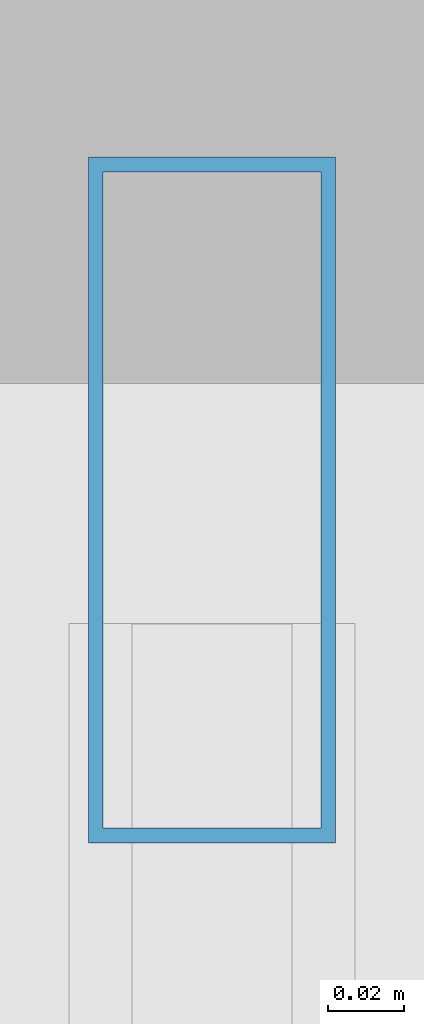
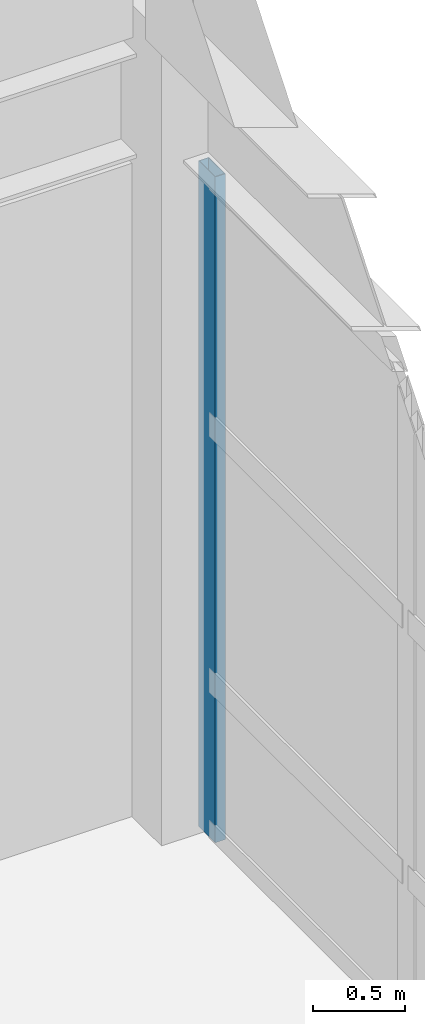
# One storey, part 22 of 41: 1 member, 1 element without a shape of its own.
"""IFC4 building model written with IfcOpenShell, lengths in metres."""

import ifcopenshell
import ifcopenshell.guid

model = None  # the IFC model being written
_history = None  # IfcOwnerHistory: only IFC2X3 demands one
_inside = {}  # id of a spatial element -> (the spatial element, [elements in it])
_under = {}  # id of a project, library or spatial element -> (it, [spatial elements below it])
_declared = {}  # id of a project -> (the project, [libraries it declares])
_typed = {}  # id of a type object -> (the type object, [elements of that type])
_made_of = {}  # id of a material, layer set ... -> (it, [elements and type objects made of it])


def new_model(schema):
    """Start an empty IFC model of exactly this schema.

    Asked for "IFC4X3", IfcOpenShell would pick the latest addendum, in which some entities
    have other attributes; the version numbers below select the first issue.
    IFC2X3 requires an IfcOwnerHistory on every rooted entity: one is made here for all.
    """
    global model, _history
    if schema == "IFC4X3":
        model = ifcopenshell.file(schema_version=(4, 3, 0, 0))
    else:
        model = ifcopenshell.file(schema=schema)
    _inside.clear()
    _under.clear()
    _declared.clear()
    _typed.clear()
    _made_of.clear()
    _history = None
    if model.schema == "IFC2X3":
        org = make("IfcOrganization", Name="unknown")
        user = make(
            "IfcPersonAndOrganization",
            ThePerson=make("IfcPerson", FamilyName="unknown"),
            TheOrganization=org,
        )
        app = make(
            "IfcApplication",
            ApplicationDeveloper=org,
            Version="unknown",
            ApplicationFullName="unknown",
            ApplicationIdentifier="unknown",
        )
        _history = make(
            "IfcOwnerHistory",
            OwningUser=user,
            OwningApplication=app,
            ChangeAction="ADDED",
            CreationDate=0,
        )
    return model


def make(cls, **values):
    """One entity of the class cls with the attributes given. An attribute that is None is left unset."""
    return model.create_entity(
        cls, **{name: value for name, value in values.items() if value is not None}
    )


def rooted(cls, **values):
    """An entity with a GlobalId (a new one), such as an element, a storey or a relation."""
    return make(cls, GlobalId=ifcopenshell.guid.new(), OwnerHistory=_history, **values)


def si_unit(unit_type, name, prefix=None):
    """IfcSIUnit, for example si_unit("LENGTHUNIT", "METRE", prefix="MILLI")."""
    return make("IfcSIUnit", UnitType=unit_type, Prefix=prefix, Name=name)


def assignment(units):
    """IfcUnitAssignment: the units of a project."""
    return None if units is None else make("IfcUnitAssignment", Units=units)


def point(xyz):
    """IfcCartesianPoint."""
    return None if xyz is None else make("IfcCartesianPoint", Coordinates=xyz)


def direction(xyz):
    """IfcDirection."""
    return None if xyz is None else make("IfcDirection", DirectionRatios=xyz)


def frame(location, z_axis=None, x_axis=None):
    """IfcAxis2Placement3D, a coordinate frame: its origin and axes. An axis left out is left unset."""
    return make(
        "IfcAxis2Placement3D",
        Location=point(location),
        Axis=direction(z_axis),
        RefDirection=direction(x_axis),
    )


def frame_2d(location, x_axis=None):
    """IfcAxis2Placement2D, a coordinate frame in the plane: its origin and x axis."""
    return make(
        "IfcAxis2Placement2D", Location=point(location), RefDirection=direction(x_axis)
    )


def origin():
    """The frame at (0, 0, 0) with its axes left unset."""
    return frame((0.0, 0.0, 0.0))


def origin_2d():
    """The frame at (0, 0) in the plane with its x axis left unset."""
    return frame_2d((0.0, 0.0))


def place(relative_to, where):
    """IfcLocalPlacement: puts the frame where relative to a parent placement (None: the world)."""
    return make(
        "IfcLocalPlacement", PlacementRelTo=relative_to, RelativePlacement=where
    )


def context(
    kind, dimensions, precision=None, world=None, true_north=None, identifier=None
):
    """IfcGeometricRepresentationContext, for example the 3D "Model" context."""
    return make(
        "IfcGeometricRepresentationContext",
        ContextIdentifier=identifier,
        ContextType=kind,
        CoordinateSpaceDimension=dimensions,
        Precision=precision,
        WorldCoordinateSystem=world,
        TrueNorth=true_north,
    )


def subcontext(parent, identifier, kind, view, scale=None):
    """IfcGeometricRepresentationSubContext, for example "Body" below "Model"."""
    return make(
        "IfcGeometricRepresentationSubContext",
        ContextIdentifier=identifier,
        ContextType=kind,
        ParentContext=parent,
        TargetScale=scale,
        TargetView=view,
    )


def project(units=None, contexts=None):
    """IfcProject with its units and contexts."""
    return rooted(
        "IfcProject",
        Name="project",
        RepresentationContexts=contexts,
        UnitsInContext=assignment(units),
    )


def spatial(cls, under=None, at=None, **own):
    """A site, building, storey or space (cls), placed at a placement, below another one or the project."""
    s = rooted(cls, ObjectPlacement=at, **own)
    if under is not None:
        _under.setdefault(under.id(), (under, []))[1].append(s)
    return s


def profile(cls, at=None, kind="AREA", **sizes):
    """A parametric profile (cls). Its sizes go by their IFC names, for example OverallWidth=200.0."""
    return make(cls, ProfileType=kind, Position=at, **sizes)


def hollow_rectangle(**sizes):
    """IfcRectangleHollowProfileDef."""
    return profile("IfcRectangleHollowProfileDef", **sizes)


def extrude(swept, where, along, depth):
    """IfcExtrudedAreaSolid: the profile swept, set in the frame where, extruded along a direction by depth."""
    return make(
        "IfcExtrudedAreaSolid",
        SweptArea=swept,
        Position=where,
        ExtrudedDirection=direction(along),
        Depth=depth,
    )


def shape(context_of_items, identifier, shape_type, items):
    """IfcShapeRepresentation: the items that make up one representation, for example the "Body"."""
    return make(
        "IfcShapeRepresentation",
        ContextOfItems=context_of_items,
        RepresentationIdentifier=identifier,
        RepresentationType=shape_type,
        Items=items,
    )


def material(Name=None, Category=None):
    """IfcMaterial."""
    return make("IfcMaterial", Name=Name, Category=Category)


def layer(
    of_material, thickness, ventilated=None, Name=None, Category=None, Priority=None
):
    """IfcMaterialLayer: one layer of a wall or slab, of a material (None: an air gap)."""
    return make(
        "IfcMaterialLayer",
        Material=of_material,
        LayerThickness=thickness,
        IsVentilated=ventilated,
        Name=Name,
        Category=Category,
        Priority=Priority,
    )


def layer_set(layers, Name=None):
    """IfcMaterialLayerSet."""
    return make("IfcMaterialLayerSet", MaterialLayers=layers, LayerSetName=Name)


def material_profile(
    of_material, cross_section, Name=None, Category=None, Priority=None
):
    """IfcMaterialProfile: a cross section and its material."""
    return make(
        "IfcMaterialProfile",
        Name=Name,
        Material=of_material,
        Profile=cross_section,
        Priority=Priority,
        Category=Category,
    )


def profile_set(profiles, Name=None, composite=None):
    """IfcMaterialProfileSet."""
    return make(
        "IfcMaterialProfileSet",
        Name=Name,
        MaterialProfiles=profiles,
        CompositeProfile=composite,
    )


def made_of(thing, what):
    """Note that an element or type object is made of a material, layer set ...; save() writes the relation."""
    if what is not None:
        _made_of.setdefault(what.id(), (what, []))[1].append(thing)
    return thing


def type_object(cls, material=None, **own):
    """A type object (cls), such as IfcWallType, which elements share."""
    return made_of(rooted(cls, **own), material)


def element(
    cls,
    number,
    at=None,
    inside=None,
    cuts=None,
    type_object=None,
    material=None,
    context=None,
    identifier="Body",
    shape_type=None,
    held_by="IfcProductDefinitionShape",
    body=None,
    shapes=None,
    **own,
):
    """One element of the class cls, such as IfcWall. Its Tag is "e" and its number.

    at: its placement. inside: the storey or other place that contains it. cuts: it is an
    opening in that element (IfcRelVoidsElement). A single representation is given by context,
    identifier, shape_type and body (its items); several are given by shapes. held_by: the class
    of the entity that holds the representations. save() writes the other relations.
    """
    e = rooted(cls, Tag="e%d" % number, ObjectPlacement=at, **own)
    if body is not None:
        shapes = [shape(context, identifier, shape_type, body)]
    if shapes is not None:
        e.Representation = make(held_by, Representations=shapes)
    if inside is not None:
        _inside.setdefault(inside.id(), (inside, []))[1].append(e)
    if cuts is not None:
        rooted(
            "IfcRelVoidsElement", RelatingBuildingElement=cuts, RelatedOpeningElement=e
        )
    if type_object is not None:
        _typed.setdefault(type_object.id(), (type_object, []))[1].append(e)
    return made_of(e, material)


def aggregate(whole, parts):
    """IfcRelAggregates: a whole, such as a stair, and the parts it consists of."""
    return rooted("IfcRelAggregates", RelatingObject=whole, RelatedObjects=parts)


def save(model, path):
    """Write the relations noted so far, then the file.

    IfcRelAggregates (storeys below a building ...), IfcRelContainedInSpatialStructure (elements
    in a storey), IfcRelDefinesByType, IfcRelAssociatesMaterial and IfcRelDeclares: one each for
    every whole, place, type object, material and project.
    """
    for whole, parts in _under.values():
        aggregate(whole, parts)
    for where, things in _inside.values():
        rooted(
            "IfcRelContainedInSpatialStructure",
            RelatedElements=things,
            RelatingStructure=where,
        )
    for kind, things in _typed.values():
        rooted("IfcRelDefinesByType", RelatedObjects=things, RelatingType=kind)
    for what, things in _made_of.values():
        rooted("IfcRelAssociatesMaterial", RelatedObjects=things, RelatingMaterial=what)
    for by, libraries in _declared.values():
        rooted("IfcRelDeclares", RelatingContext=by, RelatedDefinitions=libraries)
    model.write(path)


model = new_model("IFC4")

# Units and contexts
model_context = context("Model", 3, precision=1e-05, world=origin(), true_north=direction((0.0, 1.0)))
body_context = subcontext(model_context, "Body", "Model", "MODEL_VIEW")
ifc_project = project(units=[si_unit("LENGTHUNIT", "METRE"), si_unit("AREAUNIT", "SQUARE_METRE"), si_unit("VOLUMEUNIT", "CUBIC_METRE"), si_unit("PLANEANGLEUNIT", "RADIAN"), si_unit("MASSUNIT", "GRAM", prefix="KILO")], contexts=[model_context])

# Site, building, storey
site_placement = place(None, origin())
site = spatial("IfcSite", under=ifc_project, at=site_placement, CompositionType="ELEMENT")
building_placement = place(site_placement, origin())
building = spatial("IfcBuilding", under=site, at=building_placement, Name="Vaelkrest Opera House", CompositionType="ELEMENT")
storey_placement = place(building_placement, frame((0.0, 0.0, 24.60009765625)))
storey = spatial("IfcBuildingStorey", under=building, at=storey_placement, Name="L05", CompositionType="ELEMENT", Elevation=24.60009765625)

# Curtain wall, member
ifc_material = material(Name="Dark bronze anodized aluminium", Category="aluminium")
ifc_layer = layer(ifc_material, 0.219970703125)
ifc_layer_set = layer_set([ifc_layer], Name="Dark bronze anodized aluminium")
curtain_wall_type = type_object("IfcCurtainWallType", Name="CW05", PredefinedType="NOTDEFINED", material=ifc_layer_set)
curtain_wall_placement = place(storey_placement, origin())
curtain_wall = element("IfcCurtainWall", 1, at=curtain_wall_placement, inside=storey, type_object=curtain_wall_type, Name="Curtain wall CW-L05-172", PredefinedType="NOTDEFINED")
ifc_material_profile = material_profile(ifc_material, hollow_rectangle(XDim=0.06494140625, YDim=0.179931640625, WallThickness=0.00390625, at=origin_2d()), Name="CWM65X180")
ifc_profile_set = profile_set([ifc_material_profile], Name="Dark bronze anodized aluminium")
member_type = type_object("IfcMemberType", Name="CWM01", PredefinedType="MULLION", material=ifc_profile_set)
member_placement = place(storey_placement, frame((68.800048828125, 24.719482421875, 0.0), z_axis=(0.0, 0.0, 1.0), x_axis=(1.0, 0.0, 0.0)))
member = element("IfcMember", 2, at=member_placement, type_object=member_type, Name="CW05 mullion 1", PredefinedType="MULLION", context=body_context, shape_type="SweptSolid", body=[
    extrude(hollow_rectangle(XDim=0.06494140625, YDim=0.179931640625, WallThickness=0.00390625, at=origin_2d()), origin(), (0.0, 0.0, 1.0), 4.428955078125),
])
aggregate(curtain_wall, [member])

save(model, "model.ifc")
